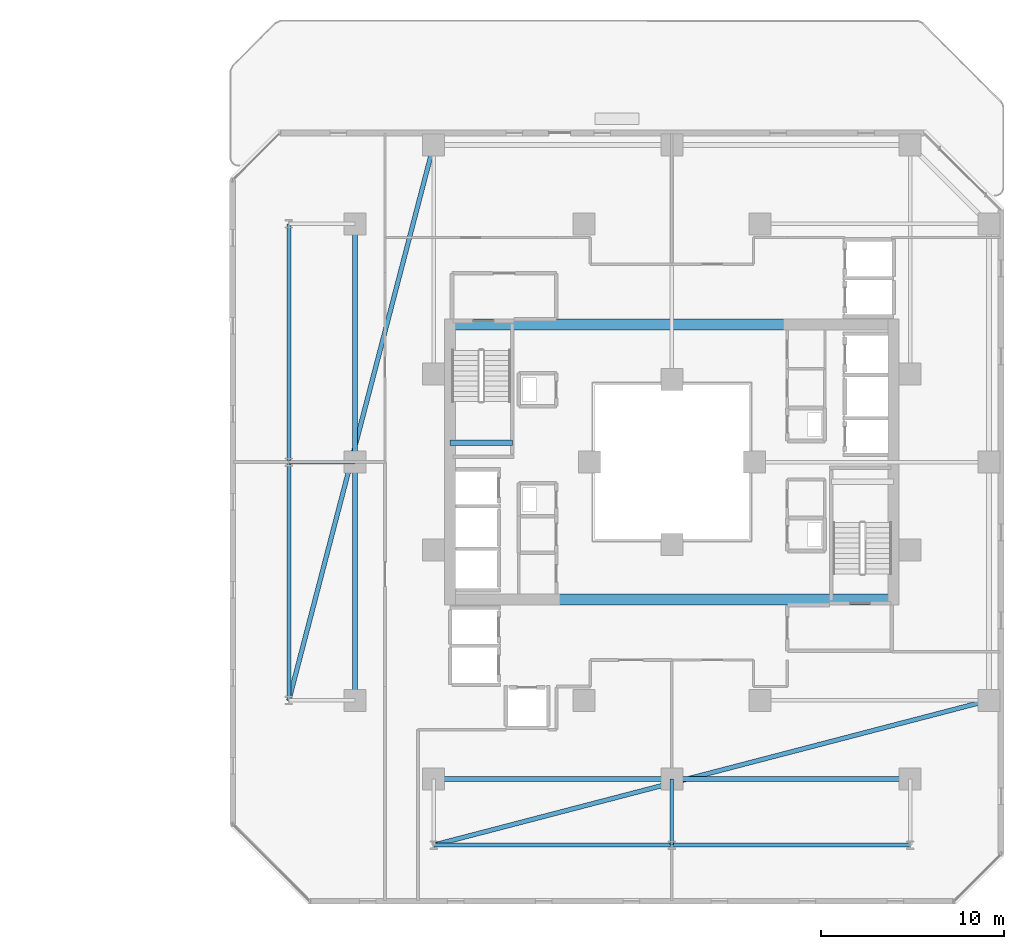
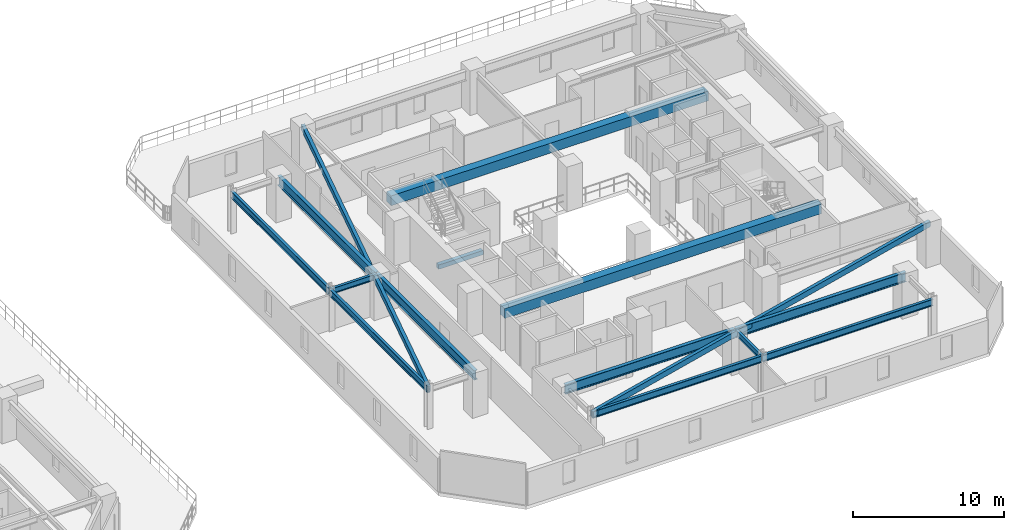
# One storey, part 13 of 33: 15 beams.
"""IFC4 building model written with IfcOpenShell, lengths in metres."""

from ifc_helpers import new_model, si_unit, direction, frame, origin, origin_2d, place, context, subcontext, project, spatial, rectangle, hollow_rectangle, i_section, extrude, material, material_profile, profile_set, type_object, element, save


model = new_model("IFC4")

# Units and contexts
model_context = context("Model", 3, precision=1e-05, world=origin(), true_north=direction((0.0, 1.0)))
body_context = subcontext(model_context, "Body", "Model", "MODEL_VIEW")
ifc_project = project(units=[si_unit("LENGTHUNIT", "METRE"), si_unit("AREAUNIT", "SQUARE_METRE"), si_unit("VOLUMEUNIT", "CUBIC_METRE"), si_unit("PLANEANGLEUNIT", "RADIAN"), si_unit("MASSUNIT", "GRAM", prefix="KILO")], contexts=[model_context])

# Site, building, storey
site_placement = place(None, origin())
site = spatial("IfcSite", under=ifc_project, at=site_placement, CompositionType="ELEMENT")
building_placement = place(site_placement, origin())
building = spatial("IfcBuilding", under=site, at=building_placement, Name="Thornwick Lancets Civic Towers", CompositionType="ELEMENT")
storey_placement = place(building_placement, frame((0.0, 0.0, 98.10009765625)))
storey = spatial("IfcBuildingStorey", under=building, at=storey_placement, Name="L25", CompositionType="ELEMENT", Elevation=98.10009765625)

# Beams
ifc_material_1 = material(Name="Concrete C60/75", Category="concrete")
ifc_material_profile_1 = material_profile(ifc_material_1, rectangle(XDim=0.60009765625, YDim=0.800048828125, at=origin_2d()), Name="RC 600x800")
ifc_profile_set_1 = profile_set([ifc_material_profile_1], Name="Concrete C60/75")
beam_type_1 = type_object("IfcBeamType", Name="BM_COUP_RC800", PredefinedType="BEAM", material=ifc_profile_set_1)
for number, where, z_axis, x_axis, name in (
    (1, (76.39990234375, 34.5, 2.919921875), (1.0, 0.0, 0.0), (0.0, 1.0, 0.0), "CB-L25-B1"),
    (2, (76.39990234375, 19.5, 2.919921875), (1.0, 0.0, 0.0), (0.0, 1.0, 0.0), "CB-L25-B2"),
):
    element("IfcBeam", number, at=place(storey_placement, frame(where, z_axis=z_axis, x_axis=x_axis)), inside=storey, type_object=beam_type_1, Name=name, PredefinedType="BEAM", context=body_context, shape_type="SweptSolid", body=[
        extrude(rectangle(XDim=0.60009765625, YDim=0.800048828125, at=origin_2d()), origin(), (0.0, 0.0, 1.0), 24.2001953125),
    ])
ifc_material_2 = material(Name="Steel S355JR", Category="steel")
ifc_material_profile_2 = material_profile(ifc_material_2, i_section(OverallWidth=0.2119140625, OverallDepth=0.54443359375, WebThickness=0.0126953125, FlangeThickness=0.021240234375, FilletRadius=0.0126953125, at=origin_2d()), Name="UKB 533x210x122")
ifc_profile_set_2 = profile_set([ifc_material_profile_2], Name="Steel S355JR")
beam_type_2 = type_object("IfcBeamType", Name="BM_EDGE_533_122", PredefinedType="SPANDREL", material=ifc_profile_set_2)
beam_1_placement = place(storey_placement, frame((67.60009765625, 14.0, 3.047607421875), z_axis=(0.0, 1.0, 0.0), x_axis=(-1.0, 0.0, 0.0)))
element("IfcBeam", 3, at=beam_1_placement, inside=storey, type_object=beam_type_2, Name="BM-EDGE-L25-B-S2-1", PredefinedType="SPANDREL", context=body_context, shape_type="SweptSolid", body=[
    extrude(i_section(OverallWidth=0.2119140625, OverallDepth=0.54443359375, WebThickness=0.0126953125, FlangeThickness=0.021240234375, FilletRadius=0.0126953125, at=origin_2d()), origin(), (0.0, 0.0, 1.0), 13.0),
])
beam_2_placement = place(storey_placement, frame((67.60009765625, 27.080078125, 3.047607421875), z_axis=(0.0, 1.0, 0.0), x_axis=(-1.0, 0.0, 0.0)))
element("IfcBeam", 4, at=beam_2_placement, inside=storey, type_object=beam_type_2, Name="BM-EDGE-L25-B-S2-2", PredefinedType="SPANDREL", context=body_context, shape_type="SweptSolid", body=[
    extrude(i_section(OverallWidth=0.2119140625, OverallDepth=0.54443359375, WebThickness=0.0126953125, FlangeThickness=0.021240234375, FilletRadius=0.0126953125, at=origin_2d()), origin(), (0.0, 0.0, 1.0), 12.919921875),
])
beam_3_placement = place(storey_placement, frame((101.5, 6.10009765625, 3.047607421875), z_axis=(-1.0, 0.0, 0.0), x_axis=(0.0, -1.0, 0.0)))
element("IfcBeam", 5, at=beam_3_placement, inside=storey, type_object=beam_type_2, Name="BM-EDGE-L25-B-S3-1", PredefinedType="SPANDREL", context=body_context, shape_type="SweptSolid", body=[
    extrude(i_section(OverallWidth=0.2119140625, OverallDepth=0.54443359375, WebThickness=0.0126953125, FlangeThickness=0.021240234375, FilletRadius=0.0126953125, at=origin_2d()), origin(), (0.0, 0.0, 1.0), 13.0),
])
beam_4_placement = place(storey_placement, frame((88.419921875, 6.10009765625, 3.047607421875), z_axis=(-1.0, 0.0, 0.0), x_axis=(0.0, -1.0, 0.0)))
element("IfcBeam", 6, at=beam_4_placement, inside=storey, type_object=beam_type_2, Name="BM-EDGE-L25-B-S3-2", PredefinedType="SPANDREL", context=body_context, shape_type="SweptSolid", body=[
    extrude(i_section(OverallWidth=0.2119140625, OverallDepth=0.54443359375, WebThickness=0.0126953125, FlangeThickness=0.021240234375, FilletRadius=0.0126953125, at=origin_2d()), origin(), (0.0, 0.0, 1.0), 12.919921875),
])
ifc_material_profile_3 = material_profile(ifc_material_2, i_section(OverallWidth=0.26806640625, OverallDepth=0.769775390625, WebThickness=0.015625, FlangeThickness=0.025390625, FilletRadius=0.0166015625, at=origin_2d()), Name="UKB 762x267x197")
ifc_profile_set_3 = profile_set([ifc_material_profile_3], Name="Steel S355JR")
beam_type_3 = type_object("IfcBeamType", Name="BM_GIRD_762_197", PredefinedType="BEAM", material=ifc_profile_set_3)
beam_5_placement = place(storey_placement, frame((71.199951171875, 14.0, 2.93505859375), z_axis=(0.0, 1.0, 0.0), x_axis=(-1.0, 0.0, 0.0)))
element("IfcBeam", 7, at=beam_5_placement, inside=storey, type_object=beam_type_3, Name="BM-SPINE-L25-B-6-7", PredefinedType="BEAM", context=body_context, shape_type="SweptSolid", body=[
    extrude(i_section(OverallWidth=0.26806640625, OverallDepth=0.769775390625, WebThickness=0.015625, FlangeThickness=0.025390625, FilletRadius=0.0166015625, at=origin_2d()), origin(), (0.0, 0.0, 1.0), 13.0),
])
beam_6_placement = place(storey_placement, frame((71.199951171875, 27.080078125, 2.93505859375), z_axis=(0.0, 1.0, 0.0), x_axis=(-1.0, 0.0, 0.0)))
element("IfcBeam", 8, at=beam_6_placement, inside=storey, type_object=beam_type_3, Name="BM-SPINE-L25-B-7-8", PredefinedType="BEAM", context=body_context, shape_type="SweptSolid", body=[
    extrude(i_section(OverallWidth=0.26806640625, OverallDepth=0.769775390625, WebThickness=0.015625, FlangeThickness=0.025390625, FilletRadius=0.0166015625, at=origin_2d()), origin(), (0.0, 0.0, 1.0), 12.919921875),
])
beam_7_placement = place(storey_placement, frame((101.5, 9.699951171875, 2.93505859375), z_axis=(-1.0, 0.0, 0.0), x_axis=(0.0, -1.0, 0.0)))
element("IfcBeam", 9, at=beam_7_placement, inside=storey, type_object=beam_type_3, Name="BM-SPINE-L25-B-9-10", PredefinedType="BEAM", context=body_context, shape_type="SweptSolid", body=[
    extrude(i_section(OverallWidth=0.26806640625, OverallDepth=0.769775390625, WebThickness=0.015625, FlangeThickness=0.025390625, FilletRadius=0.0166015625, at=origin_2d()), origin(), (0.0, 0.0, 1.0), 13.0),
])
beam_8_placement = place(storey_placement, frame((88.419921875, 9.699951171875, 2.93505859375), z_axis=(-1.0, 0.0, 0.0), x_axis=(0.0, -1.0, 0.0)))
element("IfcBeam", 10, at=beam_8_placement, inside=storey, type_object=beam_type_3, Name="BM-SPINE-L25-B-10-11", PredefinedType="BEAM", context=body_context, shape_type="SweptSolid", body=[
    extrude(i_section(OverallWidth=0.26806640625, OverallDepth=0.769775390625, WebThickness=0.015625, FlangeThickness=0.025390625, FilletRadius=0.0166015625, at=origin_2d()), origin(), (0.0, 0.0, 1.0), 12.919921875),
])
ifc_material_profile_4 = material_profile(ifc_material_2, i_section(OverallWidth=0.19287109375, OverallDepth=0.46728515625, WebThickness=0.011474609375, FlangeThickness=0.01953125, FilletRadius=0.01025390625, at=origin_2d()), Name="UKB 457x191x98")
ifc_profile_set_4 = profile_set([ifc_material_profile_4], Name="Steel S355JR")
beam_type_4 = type_object("IfcBeamType", Name="BM_JOIST_457_98", PredefinedType="JOIST", material=ifc_profile_set_4)
for number, where, z_axis, x_axis, name in (
    (11, (71.199951171875, 27.0, 3.086181640625), (-1.0, 0.0, 0.0), (0.0, -1.0, 0.0), "BM-RAD-L25-B08"),
    (12, (88.5, 9.699951171875, 3.086181640625), (0.0, -1.0, 0.0), (1.0, 0.0, 0.0), "BM-RAD-L25-B11"),
):
    element("IfcBeam", number, at=place(storey_placement, frame(where, z_axis=z_axis, x_axis=x_axis)), inside=storey, type_object=beam_type_4, Name=name, PredefinedType="JOIST", context=body_context, shape_type="SweptSolid", body=[
        extrude(i_section(OverallWidth=0.19287109375, OverallDepth=0.46728515625, WebThickness=0.011474609375, FlangeThickness=0.01953125, FilletRadius=0.01025390625, at=origin_2d()), origin(), (0.0, 0.0, 1.0), 3.599853515625),
    ])
ifc_material_profile_5 = material_profile(ifc_material_2, hollow_rectangle(XDim=0.25, YDim=0.449951171875, WallThickness=0.01611328125, at=origin_2d()), Name="RHS 450x250x16")
ifc_profile_set_5 = profile_set([ifc_material_profile_5], Name="Steel S355JR")
beam_type_5 = type_object("IfcBeamType", Name="BM_RING_RHS450", PredefinedType="BEAM", material=ifc_profile_set_5)
for number, where, z_axis, x_axis, name in (
    (13, (75.5, 44.300048828125, 3.094970703125), (-0.252288590311, -0.967652038286, 0.0), (0.967652038286, -0.252288590311, 0.0), "BM-CHAMF-L25-B-C1"),
    (14, (75.5, 6.10009765625, 3.094970703125), (0.967652038286, 0.252288590311, 0.0), (-0.252288590311, 0.967652038286, 0.0), "BM-CHAMF-L25-B-C3"),
):
    element("IfcBeam", number, at=place(storey_placement, frame(where, z_axis=z_axis, x_axis=x_axis)), inside=storey, type_object=beam_type_5, Name=name, PredefinedType="BEAM", context=body_context, shape_type="SweptSolid", body=[
        extrude(hollow_rectangle(XDim=0.25, YDim=0.449951171875, WallThickness=0.01611328125, at=origin_2d()), origin(), (0.0, 0.0, 1.0), 31.31298828125),
    ])
ifc_material_3 = material(Name="Concrete C40/50", Category="concrete")
ifc_material_profile_6 = material_profile(ifc_material_3, rectangle(XDim=0.300048828125, YDim=0.35009765625, at=origin_2d()), Name="RC 300x350")
ifc_profile_set_6 = profile_set([ifc_material_profile_6], Name="Concrete C40/50")
beam_type_6 = type_object("IfcBeamType", Name="BM_STAIR_LDG", PredefinedType="BEAM", material=ifc_profile_set_6)
beam_9_placement = place(storey_placement, frame((76.39990234375, 28.06494140625, 1.3779296875), z_axis=(1.0, 0.0, 0.0), x_axis=(0.0, 1.0, 0.0)))
element("IfcBeam", 15, at=beam_9_placement, inside=storey, type_object=beam_type_6, Name="L25 ST-B2 Landing Support Beam 1", PredefinedType="BEAM", context=body_context, shape_type="SweptSolid", body=[
    extrude(rectangle(XDim=0.300048828125, YDim=0.35009765625, at=origin_2d()), origin(), (0.0, 0.0, 1.0), 3.400146484375),
])

save(model, "model.ifc")
